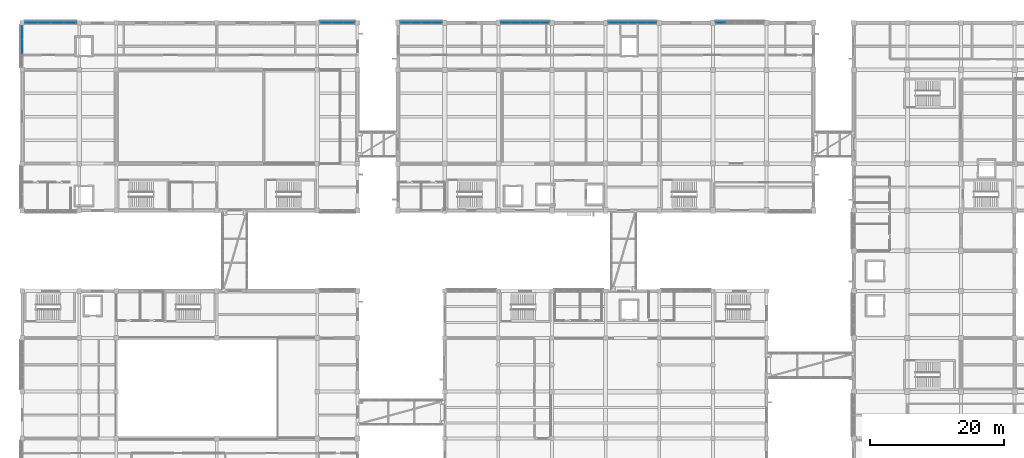
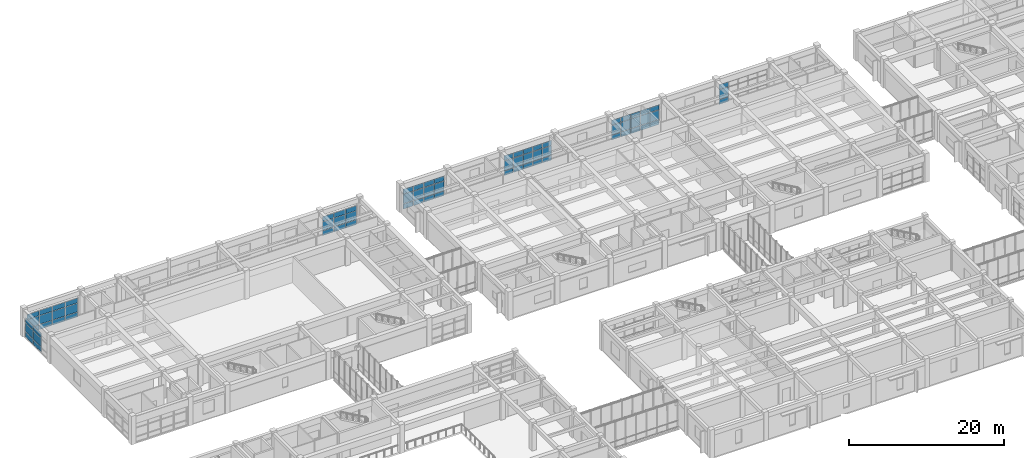
# One storey, part 42 of 70: 72 plates, 7 elements without a shape of their own.
"""IFC4 building model written with IfcOpenShell, lengths in metres."""

from ifc_helpers import new_model, si_unit, direction, frame, origin, origin_2d, place, context, subcontext, project, spatial, rectangle, extrude, material, layer, layer_set, type_object, element, aggregate, save


model = new_model("IFC4")

# Units and contexts
model_context = context("Model", 3, precision=1e-05, world=origin(), true_north=direction((0.0, 1.0)))
body_context = subcontext(model_context, "Body", "Model", "MODEL_VIEW")
ifc_project = project(units=[si_unit("LENGTHUNIT", "METRE"), si_unit("AREAUNIT", "SQUARE_METRE"), si_unit("VOLUMEUNIT", "CUBIC_METRE"), si_unit("PLANEANGLEUNIT", "RADIAN"), si_unit("MASSUNIT", "GRAM", prefix="KILO")], contexts=[model_context])

# Site, building, storey
site_placement = place(None, origin())
site = spatial("IfcSite", under=ifc_project, at=site_placement, CompositionType="ELEMENT")
building_placement = place(site_placement, origin())
building = spatial("IfcBuilding", under=site, at=building_placement, Name="Naurynzar Civic Courthouse", CompositionType="ELEMENT")
storey_placement = place(building_placement, frame((0.0, 0.0, 5.39990234375)))
storey = spatial("IfcBuildingStorey", under=building, at=storey_placement, Name="L02", CompositionType="ELEMENT", Elevation=5.39990234375)

# Curtain wall, plates
ifc_material_1 = material(Name="Aluminium 6063-T6", Category="aluminium")
ifc_layer_1 = layer(ifc_material_1, 0.179931640625)
ifc_layer_set_1 = layer_set([ifc_layer_1], Name="CW-UNIT-1500")
curtain_wall_type_1 = type_object("IfcCurtainWallType", Name="CW-UNIT-1500", PredefinedType="NOTDEFINED", material=ifc_layer_set_1)
curtain_wall_1_placement = place(storey_placement, origin())
curtain_wall_1 = element("IfcCurtainWall", 1, at=curtain_wall_1_placement, inside=storey, type_object=curtain_wall_type_1, Name="V2 unitised curtain wall 19 L02", PredefinedType="NOTDEFINED")
ifc_material_2 = material(Name="Tempered Laminated Low-E Glass", Category="glass")
ifc_layer_2 = layer(ifc_material_2, 0.031982421875)
ifc_layer_set_2 = layer_set([ifc_layer_2], Name="CWP-IGU-32")
plate_type_1 = type_object("IfcPlateType", Name="CWP-IGU-32", PredefinedType="CURTAIN_PANEL", material=ifc_layer_set_2)
plate_1_placement = place(storey_placement, frame((63.18994140625, 72.0, 0.06005859375), z_axis=(0.0, 0.0, 1.0), x_axis=(1.0, 0.0, 0.0)))
plate_1 = element("IfcPlate", 2, at=plate_1_placement, type_object=plate_type_1, Name="CW-01 panel 1.1", PredefinedType="CURTAIN_PANEL", context=body_context, shape_type="SweptSolid", body=[
    extrude(rectangle(XDim=1.4599609375, YDim=0.031982421875, at=origin_2d()), origin(), (0.0, 0.0, 1.0), 0.760009765625),
])
plate_2_placement = place(storey_placement, frame((63.18994140625, 72.0, 0.8798828125), z_axis=(0.0, 0.0, 1.0), x_axis=(1.0, 0.0, 0.0)))
plate_2 = element("IfcPlate", 3, at=plate_2_placement, type_object=plate_type_1, Name="CW-01 panel 1.2", PredefinedType="CURTAIN_PANEL", context=body_context, shape_type="SweptSolid", body=[
    extrude(rectangle(XDim=1.4599609375, YDim=0.031982421875, at=origin_2d()), origin(), (0.0, 0.0, 1.0), 1.469970703125),
])
plate_3_placement = place(storey_placement, frame((63.18994140625, 72.0, 2.41015625), z_axis=(0.0, 0.0, 1.0), x_axis=(1.0, 0.0, 0.0)))
plate_3 = element("IfcPlate", 4, at=plate_3_placement, type_object=plate_type_1, Name="CW-01 panel 1.3", PredefinedType="CURTAIN_PANEL", context=body_context, shape_type="SweptSolid", body=[
    extrude(rectangle(XDim=1.4599609375, YDim=0.031982421875, at=origin_2d()), origin(), (0.0, 0.0, 1.0), 0.760009765625),
])
plate_4_placement = place(storey_placement, frame((64.72509765625, 72.0, 0.06005859375), z_axis=(0.0, 0.0, 1.0), x_axis=(1.0, 0.0, 0.0)))
plate_4 = element("IfcPlate", 5, at=plate_4_placement, type_object=plate_type_1, Name="CW-01 panel 2.1", PredefinedType="CURTAIN_PANEL", context=body_context, shape_type="SweptSolid", body=[
    extrude(rectangle(XDim=1.489990234375, YDim=0.031982421875, at=origin_2d()), origin(), (0.0, 0.0, 1.0), 0.760009765625),
])
plate_5_placement = place(storey_placement, frame((64.72509765625, 72.0, 0.8798828125), z_axis=(0.0, 0.0, 1.0), x_axis=(1.0, 0.0, 0.0)))
plate_5 = element("IfcPlate", 6, at=plate_5_placement, type_object=plate_type_1, Name="CW-01 panel 2.2", PredefinedType="CURTAIN_PANEL", context=body_context, shape_type="SweptSolid", body=[
    extrude(rectangle(XDim=1.489990234375, YDim=0.031982421875, at=origin_2d()), origin(), (0.0, 0.0, 1.0), 1.469970703125),
])
plate_6_placement = place(storey_placement, frame((64.72509765625, 72.0, 2.41015625), z_axis=(0.0, 0.0, 1.0), x_axis=(1.0, 0.0, 0.0)))
plate_6 = element("IfcPlate", 7, at=plate_6_placement, type_object=plate_type_1, Name="CW-01 panel 2.3", PredefinedType="CURTAIN_PANEL", context=body_context, shape_type="SweptSolid", body=[
    extrude(rectangle(XDim=1.489990234375, YDim=0.031982421875, at=origin_2d()), origin(), (0.0, 0.0, 1.0), 0.760009765625),
])
plate_7_placement = place(storey_placement, frame((66.27490234375, 72.0, 0.06005859375), z_axis=(0.0, 0.0, 1.0), x_axis=(1.0, 0.0, 0.0)))
plate_7 = element("IfcPlate", 8, at=plate_7_placement, type_object=plate_type_1, Name="CW-01 panel 3.1", PredefinedType="CURTAIN_PANEL", context=body_context, shape_type="SweptSolid", body=[
    extrude(rectangle(XDim=1.489990234375, YDim=0.031982421875, at=origin_2d()), origin(), (0.0, 0.0, 1.0), 0.760009765625),
])
plate_8_placement = place(storey_placement, frame((66.27490234375, 72.0, 0.8798828125), z_axis=(0.0, 0.0, 1.0), x_axis=(1.0, 0.0, 0.0)))
plate_8 = element("IfcPlate", 9, at=plate_8_placement, type_object=plate_type_1, Name="CW-01 panel 3.2", PredefinedType="CURTAIN_PANEL", context=body_context, shape_type="SweptSolid", body=[
    extrude(rectangle(XDim=1.489990234375, YDim=0.031982421875, at=origin_2d()), origin(), (0.0, 0.0, 1.0), 1.469970703125),
])
plate_9_placement = place(storey_placement, frame((66.27490234375, 72.0, 2.41015625), z_axis=(0.0, 0.0, 1.0), x_axis=(1.0, 0.0, 0.0)))
plate_9 = element("IfcPlate", 10, at=plate_9_placement, type_object=plate_type_1, Name="CW-01 panel 3.3", PredefinedType="CURTAIN_PANEL", context=body_context, shape_type="SweptSolid", body=[
    extrude(rectangle(XDim=1.489990234375, YDim=0.031982421875, at=origin_2d()), origin(), (0.0, 0.0, 1.0), 0.760009765625),
])
plate_10_placement = place(storey_placement, frame((67.81005859375, 72.0, 0.06005859375), z_axis=(0.0, 0.0, 1.0), x_axis=(1.0, 0.0, 0.0)))
plate_10 = element("IfcPlate", 11, at=plate_10_placement, type_object=plate_type_1, Name="CW-01 panel 4.1", PredefinedType="CURTAIN_PANEL", context=body_context, shape_type="SweptSolid", body=[
    extrude(rectangle(XDim=1.4599609375, YDim=0.031982421875, at=origin_2d()), origin(), (0.0, 0.0, 1.0), 0.760009765625),
])
plate_11_placement = place(storey_placement, frame((67.81005859375, 72.0, 0.8798828125), z_axis=(0.0, 0.0, 1.0), x_axis=(1.0, 0.0, 0.0)))
plate_11 = element("IfcPlate", 12, at=plate_11_placement, type_object=plate_type_1, Name="CW-01 panel 4.2", PredefinedType="CURTAIN_PANEL", context=body_context, shape_type="SweptSolid", body=[
    extrude(rectangle(XDim=1.4599609375, YDim=0.031982421875, at=origin_2d()), origin(), (0.0, 0.0, 1.0), 1.469970703125),
])
plate_12_placement = place(storey_placement, frame((67.81005859375, 72.0, 2.41015625), z_axis=(0.0, 0.0, 1.0), x_axis=(1.0, 0.0, 0.0)))
plate_12 = element("IfcPlate", 13, at=plate_12_placement, type_object=plate_type_1, Name="CW-01 panel 4.3", PredefinedType="CURTAIN_PANEL", context=body_context, shape_type="SweptSolid", body=[
    extrude(rectangle(XDim=1.4599609375, YDim=0.031982421875, at=origin_2d()), origin(), (0.0, 0.0, 1.0), 0.760009765625),
])
aggregate(curtain_wall_1, [plate_1, plate_2, plate_3, plate_4, plate_5, plate_6, plate_7, plate_8, plate_9, plate_10, plate_11, plate_12])

curtain_wall_2_placement = place(storey_placement, origin())
curtain_wall_2 = element("IfcCurtainWall", 14, at=curtain_wall_2_placement, inside=storey, type_object=curtain_wall_type_1, Name="V2 unitised curtain wall 20 L02", PredefinedType="NOTDEFINED")
plate_13_placement = place(storey_placement, frame((78.135009765625, 72.0, 0.06005859375), z_axis=(0.0, 0.0, 1.0), x_axis=(1.0, 0.0, 0.0)))
plate_13 = element("IfcPlate", 15, at=plate_13_placement, type_object=plate_type_1, Name="CW-01 panel 1.1", PredefinedType="CURTAIN_PANEL", context=body_context, shape_type="SweptSolid", body=[
    extrude(rectangle(XDim=1.35009765625, YDim=0.031982421875, at=origin_2d()), origin(), (0.0, 0.0, 1.0), 0.760009765625),
])
plate_14_placement = place(storey_placement, frame((78.135009765625, 72.0, 0.8798828125), z_axis=(0.0, 0.0, 1.0), x_axis=(1.0, 0.0, 0.0)))
plate_14 = element("IfcPlate", 16, at=plate_14_placement, type_object=plate_type_1, Name="CW-01 panel 1.2", PredefinedType="CURTAIN_PANEL", context=body_context, shape_type="SweptSolid", body=[
    extrude(rectangle(XDim=1.35009765625, YDim=0.031982421875, at=origin_2d()), origin(), (0.0, 0.0, 1.0), 1.469970703125),
])
plate_15_placement = place(storey_placement, frame((78.135009765625, 72.0, 2.41015625), z_axis=(0.0, 0.0, 1.0), x_axis=(1.0, 0.0, 0.0)))
plate_15 = element("IfcPlate", 17, at=plate_15_placement, type_object=plate_type_1, Name="CW-01 panel 1.3", PredefinedType="CURTAIN_PANEL", context=body_context, shape_type="SweptSolid", body=[
    extrude(rectangle(XDim=1.35009765625, YDim=0.031982421875, at=origin_2d()), origin(), (0.0, 0.0, 1.0), 0.760009765625),
])
plate_16_placement = place(storey_placement, frame((79.56005859375, 72.0, 0.06005859375), z_axis=(0.0, 0.0, 1.0), x_axis=(1.0, 0.0, 0.0)))
plate_16 = element("IfcPlate", 18, at=plate_16_placement, type_object=plate_type_1, Name="CW-01 panel 2.1", PredefinedType="CURTAIN_PANEL", context=body_context, shape_type="SweptSolid", body=[
    extrude(rectangle(XDim=1.3798828125, YDim=0.031982421875, at=origin_2d()), origin(), (0.0, 0.0, 1.0), 0.760009765625),
])
plate_17_placement = place(storey_placement, frame((79.56005859375, 72.0, 0.8798828125), z_axis=(0.0, 0.0, 1.0), x_axis=(1.0, 0.0, 0.0)))
plate_17 = element("IfcPlate", 19, at=plate_17_placement, type_object=plate_type_1, Name="CW-01 panel 2.2", PredefinedType="CURTAIN_PANEL", context=body_context, shape_type="SweptSolid", body=[
    extrude(rectangle(XDim=1.3798828125, YDim=0.031982421875, at=origin_2d()), origin(), (0.0, 0.0, 1.0), 1.469970703125),
])
plate_18_placement = place(storey_placement, frame((79.56005859375, 72.0, 2.41015625), z_axis=(0.0, 0.0, 1.0), x_axis=(1.0, 0.0, 0.0)))
plate_18 = element("IfcPlate", 20, at=plate_18_placement, type_object=plate_type_1, Name="CW-01 panel 2.3", PredefinedType="CURTAIN_PANEL", context=body_context, shape_type="SweptSolid", body=[
    extrude(rectangle(XDim=1.3798828125, YDim=0.031982421875, at=origin_2d()), origin(), (0.0, 0.0, 1.0), 0.760009765625),
])
plate_19_placement = place(storey_placement, frame((81.0, 72.0, 0.06005859375), z_axis=(0.0, 0.0, 1.0), x_axis=(1.0, 0.0, 0.0)))
plate_19 = element("IfcPlate", 21, at=plate_19_placement, type_object=plate_type_1, Name="CW-01 panel 3.1", PredefinedType="CURTAIN_PANEL", context=body_context, shape_type="SweptSolid", body=[
    extrude(rectangle(XDim=1.3798828125, YDim=0.031982421875, at=origin_2d()), origin(), (0.0, 0.0, 1.0), 0.760009765625),
])
plate_20_placement = place(storey_placement, frame((81.0, 72.0, 0.8798828125), z_axis=(0.0, 0.0, 1.0), x_axis=(1.0, 0.0, 0.0)))
plate_20 = element("IfcPlate", 22, at=plate_20_placement, type_object=plate_type_1, Name="CW-01 panel 3.2", PredefinedType="CURTAIN_PANEL", context=body_context, shape_type="SweptSolid", body=[
    extrude(rectangle(XDim=1.3798828125, YDim=0.031982421875, at=origin_2d()), origin(), (0.0, 0.0, 1.0), 1.469970703125),
])
plate_21_placement = place(storey_placement, frame((81.0, 72.0, 2.41015625), z_axis=(0.0, 0.0, 1.0), x_axis=(1.0, 0.0, 0.0)))
plate_21 = element("IfcPlate", 23, at=plate_21_placement, type_object=plate_type_1, Name="CW-01 panel 3.3", PredefinedType="CURTAIN_PANEL", context=body_context, shape_type="SweptSolid", body=[
    extrude(rectangle(XDim=1.3798828125, YDim=0.031982421875, at=origin_2d()), origin(), (0.0, 0.0, 1.0), 0.760009765625),
])
plate_22_placement = place(storey_placement, frame((82.43994140625, 72.0, 0.06005859375), z_axis=(0.0, 0.0, 1.0), x_axis=(1.0, 0.0, 0.0)))
plate_22 = element("IfcPlate", 24, at=plate_22_placement, type_object=plate_type_1, Name="CW-01 panel 4.1", PredefinedType="CURTAIN_PANEL", context=body_context, shape_type="SweptSolid", body=[
    extrude(rectangle(XDim=1.3798828125, YDim=0.031982421875, at=origin_2d()), origin(), (0.0, 0.0, 1.0), 0.760009765625),
])
plate_23_placement = place(storey_placement, frame((82.43994140625, 72.0, 0.8798828125), z_axis=(0.0, 0.0, 1.0), x_axis=(1.0, 0.0, 0.0)))
plate_23 = element("IfcPlate", 25, at=plate_23_placement, type_object=plate_type_1, Name="CW-01 panel 4.2", PredefinedType="CURTAIN_PANEL", context=body_context, shape_type="SweptSolid", body=[
    extrude(rectangle(XDim=1.3798828125, YDim=0.031982421875, at=origin_2d()), origin(), (0.0, 0.0, 1.0), 1.469970703125),
])
plate_24_placement = place(storey_placement, frame((82.43994140625, 72.0, 2.41015625), z_axis=(0.0, 0.0, 1.0), x_axis=(1.0, 0.0, 0.0)))
plate_24 = element("IfcPlate", 26, at=plate_24_placement, type_object=plate_type_1, Name="CW-01 panel 4.3", PredefinedType="CURTAIN_PANEL", context=body_context, shape_type="SweptSolid", body=[
    extrude(rectangle(XDim=1.3798828125, YDim=0.031982421875, at=origin_2d()), origin(), (0.0, 0.0, 1.0), 0.760009765625),
])
plate_25_placement = place(storey_placement, frame((83.864990234375, 72.0, 0.06005859375), z_axis=(0.0, 0.0, 1.0), x_axis=(1.0, 0.0, 0.0)))
plate_25 = element("IfcPlate", 27, at=plate_25_placement, type_object=plate_type_1, Name="CW-01 panel 5.1", PredefinedType="CURTAIN_PANEL", context=body_context, shape_type="SweptSolid", body=[
    extrude(rectangle(XDim=1.35009765625, YDim=0.031982421875, at=origin_2d()), origin(), (0.0, 0.0, 1.0), 0.760009765625),
])
plate_26_placement = place(storey_placement, frame((83.864990234375, 72.0, 0.8798828125), z_axis=(0.0, 0.0, 1.0), x_axis=(1.0, 0.0, 0.0)))
plate_26 = element("IfcPlate", 28, at=plate_26_placement, type_object=plate_type_1, Name="CW-01 panel 5.2", PredefinedType="CURTAIN_PANEL", context=body_context, shape_type="SweptSolid", body=[
    extrude(rectangle(XDim=1.35009765625, YDim=0.031982421875, at=origin_2d()), origin(), (0.0, 0.0, 1.0), 1.469970703125),
])
plate_27_placement = place(storey_placement, frame((83.864990234375, 72.0, 2.41015625), z_axis=(0.0, 0.0, 1.0), x_axis=(1.0, 0.0, 0.0)))
plate_27 = element("IfcPlate", 29, at=plate_27_placement, type_object=plate_type_1, Name="CW-01 panel 5.3", PredefinedType="CURTAIN_PANEL", context=body_context, shape_type="SweptSolid", body=[
    extrude(rectangle(XDim=1.35009765625, YDim=0.031982421875, at=origin_2d()), origin(), (0.0, 0.0, 1.0), 0.760009765625),
])
aggregate(curtain_wall_2, [plate_13, plate_14, plate_15, plate_16, plate_17, plate_18, plate_19, plate_20, plate_21, plate_22, plate_23, plate_24, plate_25, plate_26, plate_27])

curtain_wall_3_placement = place(storey_placement, origin())
curtain_wall_3 = element("IfcCurtainWall", 30, at=curtain_wall_3_placement, inside=storey, type_object=curtain_wall_type_1, Name="V2 unitised curtain wall 21 L02", PredefinedType="NOTDEFINED")
plate_28_placement = place(storey_placement, frame((94.135009765625, 72.0, 0.06005859375), z_axis=(0.0, 0.0, 1.0), x_axis=(1.0, 0.0, 0.0)))
plate_28 = element("IfcPlate", 31, at=plate_28_placement, type_object=plate_type_1, Name="CW-01 panel 1.1", PredefinedType="CURTAIN_PANEL", context=body_context, shape_type="SweptSolid", body=[
    extrude(rectangle(XDim=1.35009765625, YDim=0.031982421875, at=origin_2d()), origin(), (0.0, 0.0, 1.0), 0.760009765625),
])
plate_29_placement = place(storey_placement, frame((94.135009765625, 72.0, 0.8798828125), z_axis=(0.0, 0.0, 1.0), x_axis=(1.0, 0.0, 0.0)))
plate_29 = element("IfcPlate", 32, at=plate_29_placement, type_object=plate_type_1, Name="CW-01 panel 1.2", PredefinedType="CURTAIN_PANEL", context=body_context, shape_type="SweptSolid", body=[
    extrude(rectangle(XDim=1.35009765625, YDim=0.031982421875, at=origin_2d()), origin(), (0.0, 0.0, 1.0), 1.469970703125),
])
plate_30_placement = place(storey_placement, frame((94.135009765625, 72.0, 2.41015625), z_axis=(0.0, 0.0, 1.0), x_axis=(1.0, 0.0, 0.0)))
plate_30 = element("IfcPlate", 33, at=plate_30_placement, type_object=plate_type_1, Name="CW-01 panel 1.3", PredefinedType="CURTAIN_PANEL", context=body_context, shape_type="SweptSolid", body=[
    extrude(rectangle(XDim=1.35009765625, YDim=0.031982421875, at=origin_2d()), origin(), (0.0, 0.0, 1.0), 0.760009765625),
])
plate_31_placement = place(storey_placement, frame((95.56005859375, 72.0, 0.06005859375), z_axis=(0.0, 0.0, 1.0), x_axis=(1.0, 0.0, 0.0)))
plate_31 = element("IfcPlate", 34, at=plate_31_placement, type_object=plate_type_1, Name="CW-01 panel 2.1", PredefinedType="CURTAIN_PANEL", context=body_context, shape_type="SweptSolid", body=[
    extrude(rectangle(XDim=1.3798828125, YDim=0.031982421875, at=origin_2d()), origin(), (0.0, 0.0, 1.0), 0.760009765625),
])
plate_32_placement = place(storey_placement, frame((95.56005859375, 72.0, 0.8798828125), z_axis=(0.0, 0.0, 1.0), x_axis=(1.0, 0.0, 0.0)))
plate_32 = element("IfcPlate", 35, at=plate_32_placement, type_object=plate_type_1, Name="CW-01 panel 2.2", PredefinedType="CURTAIN_PANEL", context=body_context, shape_type="SweptSolid", body=[
    extrude(rectangle(XDim=1.3798828125, YDim=0.031982421875, at=origin_2d()), origin(), (0.0, 0.0, 1.0), 1.469970703125),
])
plate_33_placement = place(storey_placement, frame((95.56005859375, 72.0, 2.41015625), z_axis=(0.0, 0.0, 1.0), x_axis=(1.0, 0.0, 0.0)))
plate_33 = element("IfcPlate", 36, at=plate_33_placement, type_object=plate_type_1, Name="CW-01 panel 2.3", PredefinedType="CURTAIN_PANEL", context=body_context, shape_type="SweptSolid", body=[
    extrude(rectangle(XDim=1.3798828125, YDim=0.031982421875, at=origin_2d()), origin(), (0.0, 0.0, 1.0), 0.760009765625),
])
plate_34_placement = place(storey_placement, frame((97.0, 72.0, 0.06005859375), z_axis=(0.0, 0.0, 1.0), x_axis=(1.0, 0.0, 0.0)))
plate_34 = element("IfcPlate", 37, at=plate_34_placement, type_object=plate_type_1, Name="CW-01 panel 3.1", PredefinedType="CURTAIN_PANEL", context=body_context, shape_type="SweptSolid", body=[
    extrude(rectangle(XDim=1.3798828125, YDim=0.031982421875, at=origin_2d()), origin(), (0.0, 0.0, 1.0), 0.760009765625),
])
plate_35_placement = place(storey_placement, frame((97.0, 72.0, 0.8798828125), z_axis=(0.0, 0.0, 1.0), x_axis=(1.0, 0.0, 0.0)))
plate_35 = element("IfcPlate", 38, at=plate_35_placement, type_object=plate_type_1, Name="CW-01 panel 3.2", PredefinedType="CURTAIN_PANEL", context=body_context, shape_type="SweptSolid", body=[
    extrude(rectangle(XDim=1.3798828125, YDim=0.031982421875, at=origin_2d()), origin(), (0.0, 0.0, 1.0), 1.469970703125),
])
plate_36_placement = place(storey_placement, frame((97.0, 72.0, 2.41015625), z_axis=(0.0, 0.0, 1.0), x_axis=(1.0, 0.0, 0.0)))
plate_36 = element("IfcPlate", 39, at=plate_36_placement, type_object=plate_type_1, Name="CW-01 panel 3.3", PredefinedType="CURTAIN_PANEL", context=body_context, shape_type="SweptSolid", body=[
    extrude(rectangle(XDim=1.3798828125, YDim=0.031982421875, at=origin_2d()), origin(), (0.0, 0.0, 1.0), 0.760009765625),
])
plate_37_placement = place(storey_placement, frame((98.43994140625, 72.0, 0.06005859375), z_axis=(0.0, 0.0, 1.0), x_axis=(1.0, 0.0, 0.0)))
plate_37 = element("IfcPlate", 40, at=plate_37_placement, type_object=plate_type_1, Name="CW-01 panel 4.1", PredefinedType="CURTAIN_PANEL", context=body_context, shape_type="SweptSolid", body=[
    extrude(rectangle(XDim=1.3798828125, YDim=0.031982421875, at=origin_2d()), origin(), (0.0, 0.0, 1.0), 0.760009765625),
])
plate_38_placement = place(storey_placement, frame((98.43994140625, 72.0, 0.8798828125), z_axis=(0.0, 0.0, 1.0), x_axis=(1.0, 0.0, 0.0)))
plate_38 = element("IfcPlate", 41, at=plate_38_placement, type_object=plate_type_1, Name="CW-01 panel 4.2", PredefinedType="CURTAIN_PANEL", context=body_context, shape_type="SweptSolid", body=[
    extrude(rectangle(XDim=1.3798828125, YDim=0.031982421875, at=origin_2d()), origin(), (0.0, 0.0, 1.0), 1.469970703125),
])
plate_39_placement = place(storey_placement, frame((98.43994140625, 72.0, 2.41015625), z_axis=(0.0, 0.0, 1.0), x_axis=(1.0, 0.0, 0.0)))
plate_39 = element("IfcPlate", 42, at=plate_39_placement, type_object=plate_type_1, Name="CW-01 panel 4.3", PredefinedType="CURTAIN_PANEL", context=body_context, shape_type="SweptSolid", body=[
    extrude(rectangle(XDim=1.3798828125, YDim=0.031982421875, at=origin_2d()), origin(), (0.0, 0.0, 1.0), 0.760009765625),
])
plate_40_placement = place(storey_placement, frame((99.864990234375, 72.0, 0.06005859375), z_axis=(0.0, 0.0, 1.0), x_axis=(1.0, 0.0, 0.0)))
plate_40 = element("IfcPlate", 43, at=plate_40_placement, type_object=plate_type_1, Name="CW-01 panel 5.1", PredefinedType="CURTAIN_PANEL", context=body_context, shape_type="SweptSolid", body=[
    extrude(rectangle(XDim=1.35009765625, YDim=0.031982421875, at=origin_2d()), origin(), (0.0, 0.0, 1.0), 0.760009765625),
])
plate_41_placement = place(storey_placement, frame((99.864990234375, 72.0, 0.8798828125), z_axis=(0.0, 0.0, 1.0), x_axis=(1.0, 0.0, 0.0)))
plate_41 = element("IfcPlate", 44, at=plate_41_placement, type_object=plate_type_1, Name="CW-01 panel 5.2", PredefinedType="CURTAIN_PANEL", context=body_context, shape_type="SweptSolid", body=[
    extrude(rectangle(XDim=1.35009765625, YDim=0.031982421875, at=origin_2d()), origin(), (0.0, 0.0, 1.0), 1.469970703125),
])
plate_42_placement = place(storey_placement, frame((99.864990234375, 72.0, 2.41015625), z_axis=(0.0, 0.0, 1.0), x_axis=(1.0, 0.0, 0.0)))
plate_42 = element("IfcPlate", 45, at=plate_42_placement, type_object=plate_type_1, Name="CW-01 panel 5.3", PredefinedType="CURTAIN_PANEL", context=body_context, shape_type="SweptSolid", body=[
    extrude(rectangle(XDim=1.35009765625, YDim=0.031982421875, at=origin_2d()), origin(), (0.0, 0.0, 1.0), 0.760009765625),
])
aggregate(curtain_wall_3, [plate_28, plate_29, plate_30, plate_31, plate_32, plate_33, plate_34, plate_35, plate_36, plate_37, plate_38, plate_39, plate_40, plate_41, plate_42])

curtain_wall_4_placement = place(storey_placement, origin())
curtain_wall_4 = element("IfcCurtainWall", 46, at=curtain_wall_4_placement, inside=storey, type_object=curtain_wall_type_1, Name="V2 unitised curtain wall 22 L02", PredefinedType="NOTDEFINED")
plate_43_placement = place(storey_placement, frame((110.135009765625, 72.0, 0.06005859375), z_axis=(0.0, 0.0, 1.0), x_axis=(1.0, 0.0, 0.0)))
plate_43 = element("IfcPlate", 47, at=plate_43_placement, type_object=plate_type_1, Name="CW-01 panel 1.1", PredefinedType="CURTAIN_PANEL", context=body_context, shape_type="SweptSolid", body=[
    extrude(rectangle(XDim=1.35009765625, YDim=0.031982421875, at=origin_2d()), origin(), (0.0, 0.0, 1.0), 0.760009765625),
])
plate_44_placement = place(storey_placement, frame((110.135009765625, 72.0, 0.8798828125), z_axis=(0.0, 0.0, 1.0), x_axis=(1.0, 0.0, 0.0)))
plate_44 = element("IfcPlate", 48, at=plate_44_placement, type_object=plate_type_1, Name="CW-01 panel 1.2", PredefinedType="CURTAIN_PANEL", context=body_context, shape_type="SweptSolid", body=[
    extrude(rectangle(XDim=1.35009765625, YDim=0.031982421875, at=origin_2d()), origin(), (0.0, 0.0, 1.0), 1.469970703125),
])
plate_45_placement = place(storey_placement, frame((110.135009765625, 72.0, 2.41015625), z_axis=(0.0, 0.0, 1.0), x_axis=(1.0, 0.0, 0.0)))
plate_45 = element("IfcPlate", 49, at=plate_45_placement, type_object=plate_type_1, Name="CW-01 panel 1.3", PredefinedType="CURTAIN_PANEL", context=body_context, shape_type="SweptSolid", body=[
    extrude(rectangle(XDim=1.35009765625, YDim=0.031982421875, at=origin_2d()), origin(), (0.0, 0.0, 1.0), 0.760009765625),
])
aggregate(curtain_wall_4, [plate_43, plate_44, plate_45])

ifc_material_3 = material(Name="Aluminium 6063-T6", Category="aluminium")
ifc_layer_3 = layer(ifc_material_3, 0.159912109375)
ifc_layer_set_3 = layer_set([ifc_layer_3], Name="CW-UNIT-1800")
curtain_wall_type_2 = type_object("IfcCurtainWallType", Name="CW-UNIT-1800", PredefinedType="NOTDEFINED", material=ifc_layer_set_3)
curtain_wall_5_placement = place(storey_placement, origin())
curtain_wall_5 = element("IfcCurtainWall", 50, at=curtain_wall_5_placement, inside=storey, type_object=curtain_wall_type_2, Name="V1 unitised curtain wall 2 L02", PredefinedType="NOTDEFINED")
ifc_material_4 = material(Name="Tempered Laminated Low-E Glass", Category="glass")
ifc_layer_4 = layer(ifc_material_4, 0.035888671875)
ifc_layer_set_4 = layer_set([ifc_layer_4], Name="CWP-IGU-36")
plate_type_2 = type_object("IfcPlateType", Name="CWP-IGU-36", PredefinedType="CURTAIN_PANEL", material=ifc_layer_set_4)
plate_46_placement = place(storey_placement, frame((6.0, 68.5, 0.070068359375), z_axis=(0.0, 0.0, 1.0), x_axis=(0.0, 1.0, 0.0)))
plate_46 = element("IfcPlate", 51, at=plate_46_placement, type_object=plate_type_2, Name="CW-02 panel 2.1", PredefinedType="CURTAIN_PANEL", context=body_context, shape_type="SweptSolid", body=[
    extrude(rectangle(XDim=1.99658203125, YDim=0.035888671875, at=origin_2d()), origin(), (0.0, 0.0, 1.0), 0.7451171875),
])
plate_47_placement = place(storey_placement, frame((6.0, 68.5, 0.88525390625), z_axis=(0.0, 0.0, 1.0), x_axis=(0.0, 1.0, 0.0)))
plate_47 = element("IfcPlate", 52, at=plate_47_placement, type_object=plate_type_2, Name="CW-02 panel 2.2", PredefinedType="CURTAIN_PANEL", context=body_context, shape_type="SweptSolid", body=[
    extrude(rectangle(XDim=1.99658203125, YDim=0.035888671875, at=origin_2d()), origin(), (0.0, 0.0, 1.0), 1.340087890625),
])
plate_48_placement = place(storey_placement, frame((6.0, 68.5, 2.294921875), z_axis=(0.0, 0.0, 1.0), x_axis=(0.0, 1.0, 0.0)))
plate_48 = element("IfcPlate", 53, at=plate_48_placement, type_object=plate_type_2, Name="CW-02 panel 2.3", PredefinedType="CURTAIN_PANEL", context=body_context, shape_type="SweptSolid", body=[
    extrude(rectangle(XDim=1.99658203125, YDim=0.035888671875, at=origin_2d()), origin(), (0.0, 0.0, 1.0), 0.7451171875),
])
plate_49_placement = place(storey_placement, frame((6.0, 70.549072265625, 0.070068359375), z_axis=(0.0, 0.0, 1.0), x_axis=(0.0, 1.0, 0.0)))
plate_49 = element("IfcPlate", 54, at=plate_49_placement, type_object=plate_type_2, Name="CW-02 panel 3.1", PredefinedType="CURTAIN_PANEL", context=body_context, shape_type="SweptSolid", body=[
    extrude(rectangle(XDim=1.961669921875, YDim=0.035888671875, at=origin_2d()), origin(), (0.0, 0.0, 1.0), 0.7451171875),
])
plate_50_placement = place(storey_placement, frame((6.0, 70.549072265625, 0.88525390625), z_axis=(0.0, 0.0, 1.0), x_axis=(0.0, 1.0, 0.0)))
plate_50 = element("IfcPlate", 55, at=plate_50_placement, type_object=plate_type_2, Name="CW-02 panel 3.2", PredefinedType="CURTAIN_PANEL", context=body_context, shape_type="SweptSolid", body=[
    extrude(rectangle(XDim=1.961669921875, YDim=0.035888671875, at=origin_2d()), origin(), (0.0, 0.0, 1.0), 1.340087890625),
])
plate_51_placement = place(storey_placement, frame((6.0, 70.549072265625, 2.294921875), z_axis=(0.0, 0.0, 1.0), x_axis=(0.0, 1.0, 0.0)))
plate_51 = element("IfcPlate", 56, at=plate_51_placement, type_object=plate_type_2, Name="CW-02 panel 3.3", PredefinedType="CURTAIN_PANEL", context=body_context, shape_type="SweptSolid", body=[
    extrude(rectangle(XDim=1.961669921875, YDim=0.035888671875, at=origin_2d()), origin(), (0.0, 0.0, 1.0), 0.7451171875),
])
aggregate(curtain_wall_5, [plate_46, plate_47, plate_48, plate_49, plate_50, plate_51])

curtain_wall_6_placement = place(storey_placement, origin())
curtain_wall_6 = element("IfcCurtainWall", 57, at=curtain_wall_6_placement, inside=storey, type_object=curtain_wall_type_2, Name="V1 unitised curtain wall 3 L02", PredefinedType="NOTDEFINED")
plate_52_placement = place(storey_placement, frame((7.3798828125, 72.0, 0.070068359375), z_axis=(0.0, 0.0, 1.0), x_axis=(1.0, 0.0, 0.0)))
plate_52 = element("IfcPlate", 58, at=plate_52_placement, type_object=plate_type_2, Name="CW-02 panel 1.1", PredefinedType="CURTAIN_PANEL", context=body_context, shape_type="SweptSolid", body=[
    extrude(rectangle(XDim=1.820068359375, YDim=0.035888671875, at=origin_2d()), origin(), (0.0, 0.0, 1.0), 0.7451171875),
])
plate_53_placement = place(storey_placement, frame((7.3798828125, 72.0, 0.88525390625), z_axis=(0.0, 0.0, 1.0), x_axis=(1.0, 0.0, 0.0)))
plate_53 = element("IfcPlate", 59, at=plate_53_placement, type_object=plate_type_2, Name="CW-02 panel 1.2", PredefinedType="CURTAIN_PANEL", context=body_context, shape_type="SweptSolid", body=[
    extrude(rectangle(XDim=1.820068359375, YDim=0.035888671875, at=origin_2d()), origin(), (0.0, 0.0, 1.0), 1.340087890625),
])
plate_54_placement = place(storey_placement, frame((7.3798828125, 72.0, 2.294921875), z_axis=(0.0, 0.0, 1.0), x_axis=(1.0, 0.0, 0.0)))
plate_54 = element("IfcPlate", 60, at=plate_54_placement, type_object=plate_type_2, Name="CW-02 panel 1.3", PredefinedType="CURTAIN_PANEL", context=body_context, shape_type="SweptSolid", body=[
    extrude(rectangle(XDim=1.820068359375, YDim=0.035888671875, at=origin_2d()), origin(), (0.0, 0.0, 1.0), 0.7451171875),
])
plate_55_placement = place(storey_placement, frame((9.28759765625, 72.0, 0.070068359375), z_axis=(0.0, 0.0, 1.0), x_axis=(1.0, 0.0, 0.0)))
plate_55 = element("IfcPlate", 61, at=plate_55_placement, type_object=plate_type_2, Name="CW-02 panel 2.1", PredefinedType="CURTAIN_PANEL", context=body_context, shape_type="SweptSolid", body=[
    extrude(rectangle(XDim=1.85498046875, YDim=0.035888671875, at=origin_2d()), origin(), (0.0, 0.0, 1.0), 0.7451171875),
])
plate_56_placement = place(storey_placement, frame((9.28759765625, 72.0, 0.88525390625), z_axis=(0.0, 0.0, 1.0), x_axis=(1.0, 0.0, 0.0)))
plate_56 = element("IfcPlate", 62, at=plate_56_placement, type_object=plate_type_2, Name="CW-02 panel 2.2", PredefinedType="CURTAIN_PANEL", context=body_context, shape_type="SweptSolid", body=[
    extrude(rectangle(XDim=1.85498046875, YDim=0.035888671875, at=origin_2d()), origin(), (0.0, 0.0, 1.0), 1.340087890625),
])
plate_57_placement = place(storey_placement, frame((9.28759765625, 72.0, 2.294921875), z_axis=(0.0, 0.0, 1.0), x_axis=(1.0, 0.0, 0.0)))
plate_57 = element("IfcPlate", 63, at=plate_57_placement, type_object=plate_type_2, Name="CW-02 panel 2.3", PredefinedType="CURTAIN_PANEL", context=body_context, shape_type="SweptSolid", body=[
    extrude(rectangle(XDim=1.85498046875, YDim=0.035888671875, at=origin_2d()), origin(), (0.0, 0.0, 1.0), 0.7451171875),
])
plate_58_placement = place(storey_placement, frame((11.21240234375, 72.0, 0.070068359375), z_axis=(0.0, 0.0, 1.0), x_axis=(1.0, 0.0, 0.0)))
plate_58 = element("IfcPlate", 64, at=plate_58_placement, type_object=plate_type_2, Name="CW-02 panel 3.1", PredefinedType="CURTAIN_PANEL", context=body_context, shape_type="SweptSolid", body=[
    extrude(rectangle(XDim=1.85498046875, YDim=0.035888671875, at=origin_2d()), origin(), (0.0, 0.0, 1.0), 0.7451171875),
])
plate_59_placement = place(storey_placement, frame((11.21240234375, 72.0, 0.88525390625), z_axis=(0.0, 0.0, 1.0), x_axis=(1.0, 0.0, 0.0)))
plate_59 = element("IfcPlate", 65, at=plate_59_placement, type_object=plate_type_2, Name="CW-02 panel 3.2", PredefinedType="CURTAIN_PANEL", context=body_context, shape_type="SweptSolid", body=[
    extrude(rectangle(XDim=1.85498046875, YDim=0.035888671875, at=origin_2d()), origin(), (0.0, 0.0, 1.0), 1.340087890625),
])
plate_60_placement = place(storey_placement, frame((11.21240234375, 72.0, 2.294921875), z_axis=(0.0, 0.0, 1.0), x_axis=(1.0, 0.0, 0.0)))
plate_60 = element("IfcPlate", 66, at=plate_60_placement, type_object=plate_type_2, Name="CW-02 panel 3.3", PredefinedType="CURTAIN_PANEL", context=body_context, shape_type="SweptSolid", body=[
    extrude(rectangle(XDim=1.85498046875, YDim=0.035888671875, at=origin_2d()), origin(), (0.0, 0.0, 1.0), 0.7451171875),
])
plate_61_placement = place(storey_placement, frame((13.1201171875, 72.0, 0.070068359375), z_axis=(0.0, 0.0, 1.0), x_axis=(1.0, 0.0, 0.0)))
plate_61 = element("IfcPlate", 67, at=plate_61_placement, type_object=plate_type_2, Name="CW-02 panel 4.1", PredefinedType="CURTAIN_PANEL", context=body_context, shape_type="SweptSolid", body=[
    extrude(rectangle(XDim=1.820068359375, YDim=0.035888671875, at=origin_2d()), origin(), (0.0, 0.0, 1.0), 0.7451171875),
])
plate_62_placement = place(storey_placement, frame((13.1201171875, 72.0, 0.88525390625), z_axis=(0.0, 0.0, 1.0), x_axis=(1.0, 0.0, 0.0)))
plate_62 = element("IfcPlate", 68, at=plate_62_placement, type_object=plate_type_2, Name="CW-02 panel 4.2", PredefinedType="CURTAIN_PANEL", context=body_context, shape_type="SweptSolid", body=[
    extrude(rectangle(XDim=1.820068359375, YDim=0.035888671875, at=origin_2d()), origin(), (0.0, 0.0, 1.0), 1.340087890625),
])
plate_63_placement = place(storey_placement, frame((13.1201171875, 72.0, 2.294921875), z_axis=(0.0, 0.0, 1.0), x_axis=(1.0, 0.0, 0.0)))
plate_63 = element("IfcPlate", 69, at=plate_63_placement, type_object=plate_type_2, Name="CW-02 panel 4.3", PredefinedType="CURTAIN_PANEL", context=body_context, shape_type="SweptSolid", body=[
    extrude(rectangle(XDim=1.820068359375, YDim=0.035888671875, at=origin_2d()), origin(), (0.0, 0.0, 1.0), 0.7451171875),
])
aggregate(curtain_wall_6, [plate_52, plate_53, plate_54, plate_55, plate_56, plate_57, plate_58, plate_59, plate_60, plate_61, plate_62, plate_63])

curtain_wall_7_placement = place(storey_placement, origin())
curtain_wall_7 = element("IfcCurtainWall", 70, at=curtain_wall_7_placement, inside=storey, type_object=curtain_wall_type_2, Name="V1 unitised curtain wall 4 L02", PredefinedType="NOTDEFINED")
plate_64_placement = place(storey_placement, frame((51.2841796875, 72.0, 0.070068359375), z_axis=(0.0, 0.0, 1.0), x_axis=(1.0, 0.0, 0.0)))
plate_64 = element("IfcPlate", 71, at=plate_64_placement, type_object=plate_type_2, Name="CW-02 panel 1.1", PredefinedType="CURTAIN_PANEL", context=body_context, shape_type="SweptSolid", body=[
    extrude(rectangle(XDim=1.62841796875, YDim=0.035888671875, at=origin_2d()), origin(), (0.0, 0.0, 1.0), 0.7451171875),
])
plate_65_placement = place(storey_placement, frame((51.2841796875, 72.0, 0.88525390625), z_axis=(0.0, 0.0, 1.0), x_axis=(1.0, 0.0, 0.0)))
plate_65 = element("IfcPlate", 72, at=plate_65_placement, type_object=plate_type_2, Name="CW-02 panel 1.2", PredefinedType="CURTAIN_PANEL", context=body_context, shape_type="SweptSolid", body=[
    extrude(rectangle(XDim=1.62841796875, YDim=0.035888671875, at=origin_2d()), origin(), (0.0, 0.0, 1.0), 1.340087890625),
])
plate_66_placement = place(storey_placement, frame((51.2841796875, 72.0, 2.294921875), z_axis=(0.0, 0.0, 1.0), x_axis=(1.0, 0.0, 0.0)))
plate_66 = element("IfcPlate", 73, at=plate_66_placement, type_object=plate_type_2, Name="CW-02 panel 1.3", PredefinedType="CURTAIN_PANEL", context=body_context, shape_type="SweptSolid", body=[
    extrude(rectangle(XDim=1.62841796875, YDim=0.035888671875, at=origin_2d()), origin(), (0.0, 0.0, 1.0), 0.7451171875),
])
plate_67_placement = place(storey_placement, frame((53.0, 72.0, 0.070068359375), z_axis=(0.0, 0.0, 1.0), x_axis=(1.0, 0.0, 0.0)))
plate_67 = element("IfcPlate", 74, at=plate_67_placement, type_object=plate_type_2, Name="CW-02 panel 2.1", PredefinedType="CURTAIN_PANEL", context=body_context, shape_type="SweptSolid", body=[
    extrude(rectangle(XDim=1.663330078125, YDim=0.035888671875, at=origin_2d()), origin(), (0.0, 0.0, 1.0), 0.7451171875),
])
plate_68_placement = place(storey_placement, frame((53.0, 72.0, 0.88525390625), z_axis=(0.0, 0.0, 1.0), x_axis=(1.0, 0.0, 0.0)))
plate_68 = element("IfcPlate", 75, at=plate_68_placement, type_object=plate_type_2, Name="CW-02 panel 2.2", PredefinedType="CURTAIN_PANEL", context=body_context, shape_type="SweptSolid", body=[
    extrude(rectangle(XDim=1.663330078125, YDim=0.035888671875, at=origin_2d()), origin(), (0.0, 0.0, 1.0), 1.340087890625),
])
plate_69_placement = place(storey_placement, frame((53.0, 72.0, 2.294921875), z_axis=(0.0, 0.0, 1.0), x_axis=(1.0, 0.0, 0.0)))
plate_69 = element("IfcPlate", 76, at=plate_69_placement, type_object=plate_type_2, Name="CW-02 panel 2.3", PredefinedType="CURTAIN_PANEL", context=body_context, shape_type="SweptSolid", body=[
    extrude(rectangle(XDim=1.663330078125, YDim=0.035888671875, at=origin_2d()), origin(), (0.0, 0.0, 1.0), 0.7451171875),
])
plate_70_placement = place(storey_placement, frame((54.7158203125, 72.0, 0.070068359375), z_axis=(0.0, 0.0, 1.0), x_axis=(1.0, 0.0, 0.0)))
plate_70 = element("IfcPlate", 77, at=plate_70_placement, type_object=plate_type_2, Name="CW-02 panel 3.1", PredefinedType="CURTAIN_PANEL", context=body_context, shape_type="SweptSolid", body=[
    extrude(rectangle(XDim=1.62841796875, YDim=0.035888671875, at=origin_2d()), origin(), (0.0, 0.0, 1.0), 0.7451171875),
])
plate_71_placement = place(storey_placement, frame((54.7158203125, 72.0, 0.88525390625), z_axis=(0.0, 0.0, 1.0), x_axis=(1.0, 0.0, 0.0)))
plate_71 = element("IfcPlate", 78, at=plate_71_placement, type_object=plate_type_2, Name="CW-02 panel 3.2", PredefinedType="CURTAIN_PANEL", context=body_context, shape_type="SweptSolid", body=[
    extrude(rectangle(XDim=1.62841796875, YDim=0.035888671875, at=origin_2d()), origin(), (0.0, 0.0, 1.0), 1.340087890625),
])
plate_72_placement = place(storey_placement, frame((54.7158203125, 72.0, 2.294921875), z_axis=(0.0, 0.0, 1.0), x_axis=(1.0, 0.0, 0.0)))
plate_72 = element("IfcPlate", 79, at=plate_72_placement, type_object=plate_type_2, Name="CW-02 panel 3.3", PredefinedType="CURTAIN_PANEL", context=body_context, shape_type="SweptSolid", body=[
    extrude(rectangle(XDim=1.62841796875, YDim=0.035888671875, at=origin_2d()), origin(), (0.0, 0.0, 1.0), 0.7451171875),
])
aggregate(curtain_wall_7, [plate_64, plate_65, plate_66, plate_67, plate_68, plate_69, plate_70, plate_71, plate_72])

save(model, "model.ifc")
